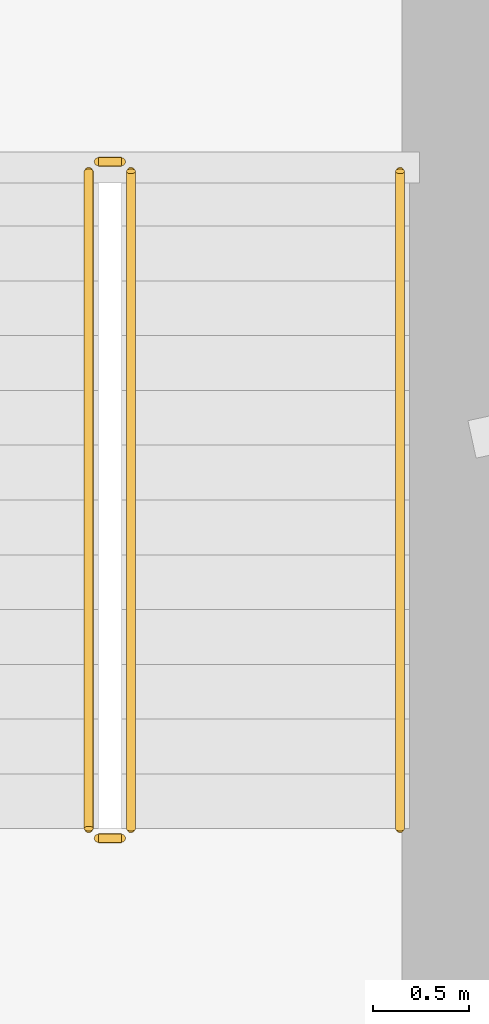
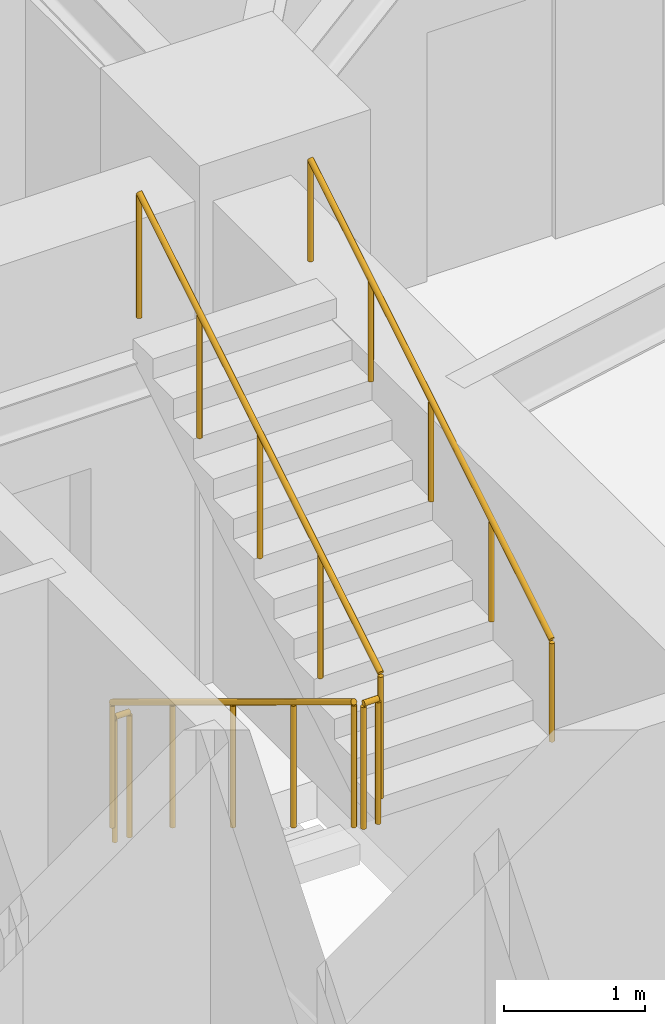
# One storey, part 20 of 21: 5 railings.
"""IFC4 building model written with IfcOpenShell, lengths in metres."""

from ifc_helpers import new_model, si_unit, direction, frame, origin, origin_2d, place, context, subcontext, project, spatial, circle, extrude, material, type_object, element, save


model = new_model("IFC4")

# Units and contexts
model_context = context("Model", 3, precision=1e-05, world=origin(), true_north=direction((0.0, 1.0)))
body_context = subcontext(model_context, "Body", "Model", "MODEL_VIEW")
ifc_project = project(units=[si_unit("LENGTHUNIT", "METRE"), si_unit("AREAUNIT", "SQUARE_METRE"), si_unit("VOLUMEUNIT", "CUBIC_METRE"), si_unit("PLANEANGLEUNIT", "RADIAN"), si_unit("MASSUNIT", "GRAM", prefix="KILO")], contexts=[model_context])

# Site, building, storey
site_placement = place(None, origin())
site = spatial("IfcSite", under=ifc_project, at=site_placement, CompositionType="ELEMENT")
building_placement = place(site_placement, origin())
building = spatial("IfcBuilding", under=site, at=building_placement, Name="Qobustan Lattice House", CompositionType="ELEMENT")
storey_placement = place(building_placement, frame((0.0, 0.0, 22.5)))
storey = spatial("IfcBuildingStorey", under=building, at=storey_placement, Name="L05", CompositionType="ELEMENT", Elevation=22.5)

# Railings
ifc_material_1 = material(Name="Brushed stainless steel handrail", Category="steel")
railing_type_1 = type_object("IfcRailingType", Name="RAL-HR-920", PredefinedType="HANDRAIL", material=ifc_material_1)
railing_1_placement = place(storey_placement, frame((18.199951171875, 0.080078125, 2.423095703125)))
element("IfcRailing", 1, at=railing_1_placement, inside=storey, type_object=railing_type_1, Name="L05 ST-E1 stair handrail 2", PredefinedType="HANDRAIL", context=body_context, shape_type="SweptSolid", body=[
    extrude(circle(Radius=0.02392578125, at=origin_2d()), frame((0.0, 0.0, 0.8759765625), z_axis=(0.0, 0.854729506542, 0.519073665916), x_axis=(-1.0, 0.0, 0.0)), (0.0, 0.0, 1.0), 4.001220703125),
    extrude(circle(Radius=0.02099609375, at=origin_2d()), origin(), (0.0, 0.0, 1.0), 0.851806640625),
    extrude(circle(Radius=0.02099609375, at=origin_2d()), frame((0.0, 0.85498046875, 0.519287109375)), (0.0, 0.0, 1.0), 0.851806640625),
    extrude(circle(Radius=0.02099609375, at=origin_2d()), frame((0.0, 1.7099609375, 1.03857421875)), (0.0, 0.0, 1.0), 0.851806640625),
    extrude(circle(Radius=0.02099609375, at=origin_2d()), frame((0.0, 2.56494140625, 1.5576171875)), (0.0, 0.0, 1.0), 0.851806640625),
    extrude(circle(Radius=0.02099609375, at=origin_2d()), frame((0.0, 3.419921875, 2.076904296875)), (0.0, 0.0, 1.0), 0.851806640625),
])
ifc_material_2 = material(Name="Painted galvanized steel guardrail", Category="steel")
railing_type_2 = type_object("IfcRailingType", Name="RAL-STG-1150", PredefinedType="GUARDRAIL", material=ifc_material_2)
railing_2_placement = place(storey_placement, frame((16.580078125, 3.5, 0.173095703125)))
element("IfcRailing", 2, at=railing_2_placement, inside=storey, type_object=railing_type_2, Name="L05 ST-E1 stair guard 1", PredefinedType="GUARDRAIL", context=body_context, shape_type="SweptSolid", body=[
    extrude(circle(Radius=0.02392578125, at=origin_2d()), frame((0.0, 0.0, 1.076171875), z_axis=(0.0, -0.854729506542, 0.519073665916), x_axis=(1.0, 0.0, 0.0)), (0.0, 0.0, 1.0), 4.001220703125),
    extrude(circle(Radius=0.02099609375, at=origin_2d()), origin(), (0.0, 0.0, 1.0), 1.052001953125),
    extrude(circle(Radius=0.02099609375, at=origin_2d()), frame((0.0, -0.85498046875, 0.519287109375)), (0.0, 0.0, 1.0), 1.052001953125),
    extrude(circle(Radius=0.02099609375, at=origin_2d()), frame((0.0, -1.7099609375, 1.03857421875)), (0.0, 0.0, 1.0), 1.052001953125),
    extrude(circle(Radius=0.02099609375, at=origin_2d()), frame((0.0, -2.56494140625, 1.5576171875)), (0.0, 0.0, 1.0), 1.052001953125),
    extrude(circle(Radius=0.02099609375, at=origin_2d()), frame((0.0, -3.419921875, 2.076904296875)), (0.0, 0.0, 1.0), 1.052001953125),
])
railing_3_placement = place(storey_placement, frame((16.6298828125, 0.030029296875, 2.25)))
element("IfcRailing", 3, at=railing_3_placement, inside=storey, type_object=railing_type_2, Name="L05 ST-E1 stair guard 2", PredefinedType="GUARDRAIL", context=body_context, shape_type="SweptSolid", body=[
    extrude(circle(Radius=0.02392578125, at=origin_2d()), frame((0.0, 0.0, 1.076171875), z_axis=(1.0, 0.0, 0.0), x_axis=(0.0, 1.0, 0.0)), (0.0, 0.0, 1.0), 0.1201171875),
    extrude(circle(Radius=0.02099609375, at=origin_2d()), origin(), (0.0, 0.0, 1.0), 1.052001953125),
    extrude(circle(Radius=0.02099609375, at=origin_2d()), frame((0.1201171875, 0.0, 0.0)), (0.0, 0.0, 1.0), 1.052001953125),
])
railing_4_placement = place(storey_placement, frame((16.800048828125, 0.080078125, 2.423095703125)))
element("IfcRailing", 4, at=railing_4_placement, inside=storey, type_object=railing_type_2, Name="L05 ST-E1 stair guard 3", PredefinedType="GUARDRAIL", context=body_context, shape_type="SweptSolid", body=[
    extrude(circle(Radius=0.02392578125, at=origin_2d()), frame((0.0, 0.0, 1.076171875), z_axis=(0.0, 0.854729506542, 0.519073665916), x_axis=(-1.0, 0.0, 0.0)), (0.0, 0.0, 1.0), 4.001220703125),
    extrude(circle(Radius=0.02099609375, at=origin_2d()), origin(), (0.0, 0.0, 1.0), 1.052001953125),
    extrude(circle(Radius=0.02099609375, at=origin_2d()), frame((0.0, 0.85498046875, 0.519287109375)), (0.0, 0.0, 1.0), 1.052001953125),
    extrude(circle(Radius=0.02099609375, at=origin_2d()), frame((0.0, 1.7099609375, 1.03857421875)), (0.0, 0.0, 1.0), 1.052001953125),
    extrude(circle(Radius=0.02099609375, at=origin_2d()), frame((0.0, 2.56494140625, 1.5576171875)), (0.0, 0.0, 1.0), 1.052001953125),
    extrude(circle(Radius=0.02099609375, at=origin_2d()), frame((0.0, 3.419921875, 2.076904296875)), (0.0, 0.0, 1.0), 1.052001953125),
])
railing_5_placement = place(storey_placement, frame((16.6298828125, 3.550048828125, 0.0)))
element("IfcRailing", 5, at=railing_5_placement, inside=storey, type_object=railing_type_2, Name="L05 ST-E1 stair guard 4", PredefinedType="GUARDRAIL", context=body_context, shape_type="SweptSolid", body=[
    extrude(circle(Radius=0.02392578125, at=origin_2d()), frame((0.0, 0.0, 1.076171875), z_axis=(1.0, 0.0, 0.0), x_axis=(0.0, 1.0, 0.0)), (0.0, 0.0, 1.0), 0.1201171875),
    extrude(circle(Radius=0.02099609375, at=origin_2d()), origin(), (0.0, 0.0, 1.0), 1.052001953125),
    extrude(circle(Radius=0.02099609375, at=origin_2d()), frame((0.1201171875, 0.0, 0.0)), (0.0, 0.0, 1.0), 1.052001953125),
])

save(model, "model.ifc")
